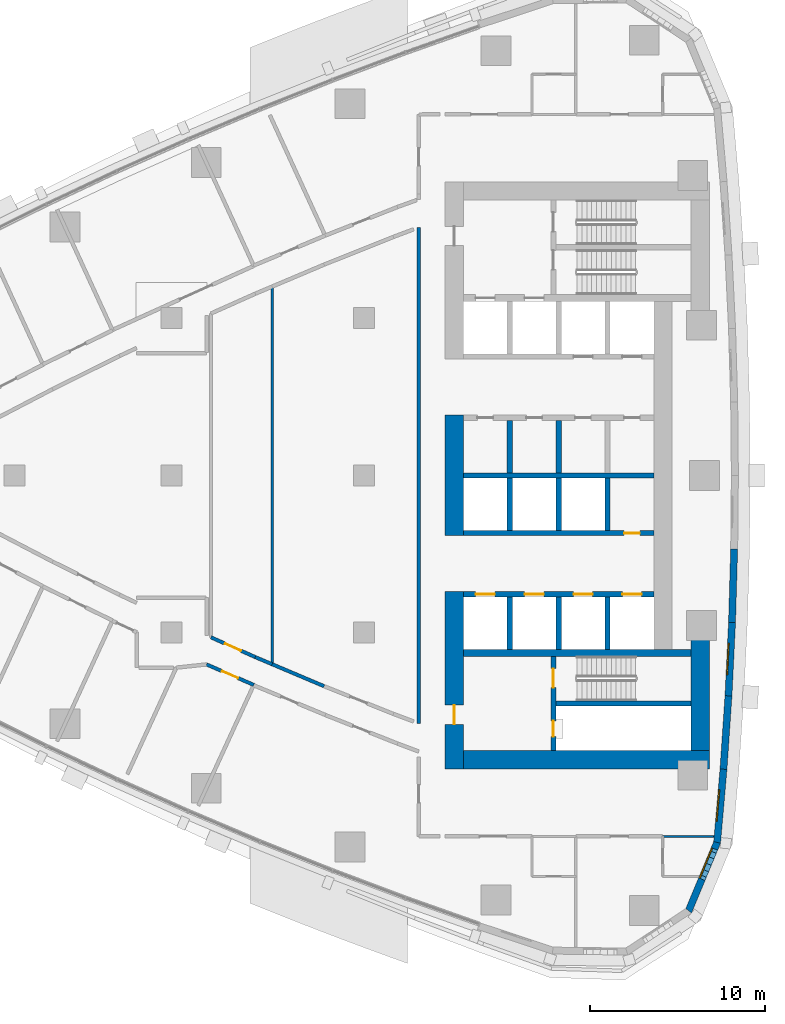
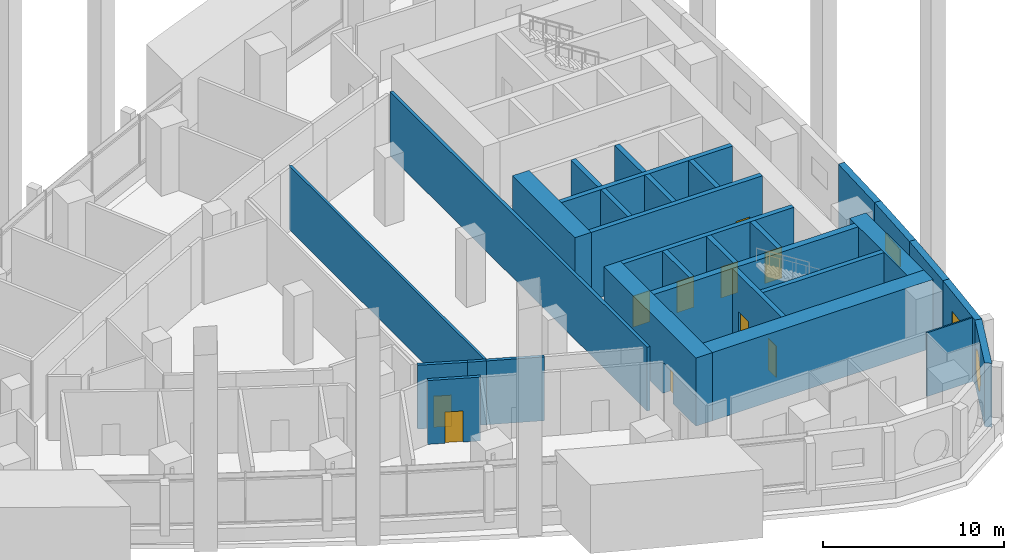
# One storey, part 9 of 17: 30 walls, 10 doors, 3 windows, 13 openings.
"""IFC4 building model written with IfcOpenShell, lengths in metres."""

from ifc_helpers import new_model, si_unit, direction, frame, frame_2d, origin, place, context, subcontext, project, spatial, polyline, rectangle, outline, extrude, material, layer, layer_set, type_object, element, fill, save


model = new_model("IFC4")

# Units and contexts
model_context = context("Model", 3, precision=1e-05, world=origin(), true_north=direction((0.0, 1.0)))
body_context = subcontext(model_context, "Body", "Model", "MODEL_VIEW")
ifc_project = project(units=[si_unit("LENGTHUNIT", "METRE"), si_unit("AREAUNIT", "SQUARE_METRE"), si_unit("VOLUMEUNIT", "CUBIC_METRE"), si_unit("PLANEANGLEUNIT", "RADIAN"), si_unit("MASSUNIT", "GRAM", prefix="KILO")], contexts=[model_context])

# Site, building, storey
site_placement = place(None, origin())
site = spatial("IfcSite", under=ifc_project, at=site_placement, CompositionType="ELEMENT")
building_placement = place(site_placement, origin())
building = spatial("IfcBuilding", under=site, at=building_placement, Name="Ostrand Prow Hotel Tower", CompositionType="ELEMENT")
storey_placement = place(building_placement, frame((0.0, 0.0, 80.300048828125)))
storey = spatial("IfcBuildingStorey", under=building, at=storey_placement, Name="L18", CompositionType="ELEMENT", Elevation=80.300048828125)

# Wall
ifc_material_1 = material(Name="Concrete C80/95", Category="concrete")
ifc_layer_1 = layer(ifc_material_1, 1.050048828125)
ifc_layer_set_1 = layer_set([ifc_layer_1], Name="Concrete C80/95")
wall_type_1 = type_object("IfcWallType", Name="Core wall 1050 C80/95", PredefinedType="SHEAR", material=ifc_layer_set_1)
wall_1_placement = place(storey_placement, frame((50.175048828125, -3.449951171875, 0.0), z_axis=(0.0, 0.0, 1.0), x_axis=(0.0, 1.0, 0.0)))
element("IfcWall", 1, at=wall_1_placement, inside=storey, type_object=wall_type_1, Name="Core wall CW-W-C", PredefinedType="SHEAR", context=body_context, shape_type="SweptSolid", body=[
    extrude(rectangle(XDim=6.89990234375, YDim=1.050048828125, at=frame_2d((3.449951171875, 0.0))), origin(), (0.0, 0.0, 1.0), 4.599853515625),
])

# Wall, opening, door
wall_2_placement = place(storey_placement, frame((50.175048828125, -16.800048828125, 0.0), z_axis=(0.0, 0.0, 1.0), x_axis=(0.0, 1.0, 0.0)))
wall_2 = element("IfcWall", 2, at=wall_2_placement, inside=storey, type_object=wall_type_1, Name="Core wall CW-W-S", PredefinedType="SHEAR", context=body_context, shape_type="SweptSolid", body=[
    extrude(rectangle(XDim=10.150146484375, YDim=1.050048828125, at=frame_2d((5.0751953125, 0.0))), origin(), (0.0, 0.0, 1.0), 4.599853515625),
])
opening_1_placement = place(wall_2_placement, frame((2.550048828125, 0.0, 0.0)))
opening_1 = element("IfcOpeningElement", 3, at=opening_1_placement, cuts=wall_2, Name="Opening FD1", PredefinedType="OPENING", context=body_context, shape_type="SweptSolid", body=[
    extrude(rectangle(XDim=1.10009765625, YDim=2.10009765625, at=frame_2d((0.550048828125, 1.050048828125))), frame((0.0, 0.534912109375, 0.0), z_axis=(0.0, -1.0, 0.0), x_axis=(1.0, 0.0, 0.0)), (0.0, 0.0, 1.0), 1.070068359375),
])
ifc_material_2 = material(Name="Steel fire door", Category="steel")
door_type_1 = type_object("IfcDoorType", Name="Fire door 1100 EI120", OperationType="SINGLE_SWING_RIGHT", PredefinedType="DOOR", material=ifc_material_2)
door_1_placement = place(opening_1_placement, origin())
door_1 = element("IfcDoor", 4, at=door_1_placement, inside=storey, type_object=door_type_1, Name="FIRE DOOR", OperationType="SINGLE_SWING_RIGHT", OverallHeight=2.10009765625, OverallWidth=1.10009765625, PredefinedType="DOOR", context=body_context, shape_type="SweptSolid", body=[
    extrude(rectangle(XDim=1.10009765625, YDim=2.10009765625, at=frame_2d((0.550048828125, 1.050048828125))), frame((0.0, 0.02490234375, 0.0), z_axis=(0.0, -1.0, 0.0), x_axis=(1.0, 0.0, 0.0)), (0.0, 0.0, 1.0), 0.050048828125),
])
fill(opening_1, door_1)

# Walls
wall_3_placement = place(storey_placement, frame((50.699951171875, -16.27490234375, 0.0), z_axis=(0.0, 0.0, 1.0), x_axis=(1.0, 0.0, 0.0)))
element("IfcWall", 5, at=wall_3_placement, inside=storey, type_object=wall_type_1, Name="Core wall CW-S", PredefinedType="SHEAR", context=body_context, shape_type="SweptSolid", body=[
    extrude(rectangle(XDim=14.070068359375, YDim=1.050048828125, at=frame_2d((7.03515625, 0.0))), origin(), (0.0, 0.0, 1.0), 4.599853515625),
])
wall_4_placement = place(storey_placement, frame((64.2451171875, -15.75, 0.0), z_axis=(0.0, 0.0, 1.0), x_axis=(0.0, 1.0, 0.0)))
element("IfcWall", 6, at=wall_4_placement, inside=storey, type_object=wall_type_1, Name="Core wall CW-E-S", PredefinedType="SHEAR", context=body_context, shape_type="SweptSolid", body=[
    extrude(rectangle(XDim=6.361328125, YDim=1.050048828125, at=frame_2d((3.1806640625, 0.0))), origin(), (0.0, 0.0, 1.0), 4.599853515625),
])
ifc_material_3 = material(Name="Concrete C80/95", Category="concrete")
ifc_layer_2 = layer(ifc_material_3, 0.300048828125)
ifc_layer_set_2 = layer_set([ifc_layer_2], Name="Concrete C80/95")
wall_type_2 = type_object("IfcWallType", Name="Core wall 300 C80/95", PredefinedType="SHEAR", material=ifc_layer_set_2)
wall_5_placement = place(storey_placement, frame((50.699951171875, 0.0, 0.0), z_axis=(0.0, 0.0, 1.0), x_axis=(1.0, 0.0, 0.0)))
element("IfcWall", 7, at=wall_5_placement, inside=storey, type_object=wall_type_2, Name="Core wall PW-C", PredefinedType="SHEAR", context=body_context, shape_type="SweptSolid", body=[
    extrude(rectangle(XDim=10.900146484375, YDim=0.300048828125, at=frame_2d((5.4501953125, 0.0))), origin(), (0.0, 0.0, 1.0), 4.599853515625),
])
for number, where, z_axis, x_axis, name in (
    (8, (53.35009765625, 0.14990234375, 0.0), (0.0, 0.0, 1.0), (0.0, 1.0, 0.0), "Core wall PW-R1-NB"),
    (9, (56.14990234375, 0.14990234375, 0.0), (0.0, 0.0, 1.0), (0.0, 1.0, 0.0), "Core wall PW-R2-NB"),
):
    element("IfcWall", number, at=place(storey_placement, frame(where, z_axis=z_axis, x_axis=x_axis)), inside=storey, type_object=wall_type_2, Name=name, PredefinedType="SHEAR", context=body_context, shape_type="SweptSolid", body=[
        extrude(rectangle(XDim=3.0, YDim=0.300048828125, at=frame_2d((1.5, 0.0))), origin(), (0.0, 0.0, 1.0), 4.599853515625),
    ])

# Wall, opening, door
wall_6_placement = place(storey_placement, frame((50.699951171875, -3.300048828125, 0.0), z_axis=(0.0, 0.0, 1.0), x_axis=(1.0, 0.0, 0.0)))
wall_6 = element("IfcWall", 10, at=wall_6_placement, inside=storey, type_object=wall_type_2, Name="Core wall PW-L1-S", PredefinedType="SHEAR", context=body_context, shape_type="SweptSolid", body=[
    extrude(rectangle(XDim=10.900146484375, YDim=0.300048828125, at=frame_2d((5.4501953125, 0.0))), origin(), (0.0, 0.0, 1.0), 4.599853515625),
])
opening_2_placement = place(wall_6_placement, frame((9.199951171875, 0.0, 0.0)))
opening_2 = element("IfcOpeningElement", 11, at=opening_2_placement, cuts=wall_6, Name="Opening FD2", PredefinedType="OPENING", context=body_context, shape_type="SweptSolid", body=[
    extrude(rectangle(XDim=0.89990234375, YDim=2.10009765625, at=frame_2d((0.449951171875, 1.050048828125))), frame((0.0, 0.159912109375, 0.0), z_axis=(0.0, -1.0, 0.0), x_axis=(1.0, 0.0, 0.0)), (0.0, 0.0, 1.0), 0.320068359375),
])
ifc_material_4 = material(Name="Steel fire door", Category="steel")
door_type_2 = type_object("IfcDoorType", Name="Fire door 900 EI120", OperationType="SINGLE_SWING_LEFT", PredefinedType="DOOR", material=ifc_material_4)
door_2_placement = place(opening_2_placement, origin())
door_2 = element("IfcDoor", 12, at=door_2_placement, inside=storey, type_object=door_type_2, Name="DOOR", OperationType="SINGLE_SWING_LEFT", OverallHeight=2.10009765625, OverallWidth=0.89990234375, PredefinedType="DOOR", context=body_context, shape_type="SweptSolid", body=[
    extrude(rectangle(XDim=0.89990234375, YDim=2.10009765625, at=frame_2d((0.449951171875, 1.050048828125))), frame((0.0, 0.02490234375, 0.0), z_axis=(0.0, -1.0, 0.0), x_axis=(1.0, 0.0, 0.0)), (0.0, 0.0, 1.0), 0.050048828125),
])
fill(opening_2, door_2)

# Wall, openings, doors
wall_7_placement = place(storey_placement, frame((50.699951171875, -6.800048828125, 0.0), z_axis=(0.0, 0.0, 1.0), x_axis=(1.0, 0.0, 0.0)))
wall_7 = element("IfcWall", 13, at=wall_7_placement, inside=storey, type_object=wall_type_2, Name="Core wall PW-L2-S", PredefinedType="SHEAR", context=body_context, shape_type="SweptSolid", body=[
    extrude(rectangle(XDim=10.900146484375, YDim=0.300048828125, at=frame_2d((5.4501953125, 0.0))), origin(), (0.0, 0.0, 1.0), 4.599853515625),
])
opening_3_placement = place(wall_7_placement, frame((0.699951171875, 0.0, 0.0)))
opening_3 = element("IfcOpeningElement", 14, at=opening_3_placement, cuts=wall_7, Name="Opening LD", PredefinedType="OPENING", context=body_context, shape_type="SweptSolid", body=[
    extrude(rectangle(XDim=1.10009765625, YDim=2.10009765625, at=frame_2d((0.550048828125, 1.050048828125))), frame((0.0, 0.159912109375, 0.0), z_axis=(0.0, -1.0, 0.0), x_axis=(1.0, 0.0, 0.0)), (0.0, 0.0, 1.0), 0.320068359375),
])
opening_4_placement = place(wall_7_placement, frame((3.5, 0.0, 0.0)))
opening_4 = element("IfcOpeningElement", 15, at=opening_4_placement, cuts=wall_7, Name="Opening LD", PredefinedType="OPENING", context=body_context, shape_type="SweptSolid", body=[
    extrude(rectangle(XDim=1.10009765625, YDim=2.10009765625, at=frame_2d((0.550048828125, 1.050048828125))), frame((0.0, 0.159912109375, 0.0), z_axis=(0.0, -1.0, 0.0), x_axis=(1.0, 0.0, 0.0)), (0.0, 0.0, 1.0), 0.320068359375),
])
opening_5_placement = place(wall_7_placement, frame((6.300048828125, 0.0, 0.0)))
opening_5 = element("IfcOpeningElement", 16, at=opening_5_placement, cuts=wall_7, Name="Opening LD", PredefinedType="OPENING", context=body_context, shape_type="SweptSolid", body=[
    extrude(rectangle(XDim=1.10009765625, YDim=2.10009765625, at=frame_2d((0.550048828125, 1.050048828125))), frame((0.0, 0.159912109375, 0.0), z_axis=(0.0, -1.0, 0.0), x_axis=(1.0, 0.0, 0.0)), (0.0, 0.0, 1.0), 0.320068359375),
])
opening_6_placement = place(wall_7_placement, frame((9.10009765625, 0.0, 0.0)))
opening_6 = element("IfcOpeningElement", 17, at=opening_6_placement, cuts=wall_7, Name="Opening LD", PredefinedType="OPENING", context=body_context, shape_type="SweptSolid", body=[
    extrude(rectangle(XDim=1.10009765625, YDim=2.10009765625, at=frame_2d((0.550048828125, 1.050048828125))), frame((0.0, 0.159912109375, 0.0), z_axis=(0.0, -1.0, 0.0), x_axis=(1.0, 0.0, 0.0)), (0.0, 0.0, 1.0), 0.320068359375),
])
ifc_material_5 = material(Name="Stainless steel door", Category="steel")
door_type_3 = type_object("IfcDoorType", Name="Lift landing door 1100", OperationType="DOUBLE_DOOR_SLIDING", PredefinedType="DOOR", material=ifc_material_5)
door_3_placement = place(opening_3_placement, origin())
door_3 = element("IfcDoor", 18, at=door_3_placement, inside=storey, type_object=door_type_3, Name="LIFT LANDING DOOR", OperationType="DOUBLE_DOOR_SLIDING", OverallHeight=2.10009765625, OverallWidth=1.10009765625, PredefinedType="DOOR", context=body_context, shape_type="SweptSolid", body=[
    extrude(rectangle(XDim=1.10009765625, YDim=2.10009765625, at=frame_2d((0.550048828125, 1.050048828125))), frame((0.0, 0.02490234375, 0.0), z_axis=(0.0, -1.0, 0.0), x_axis=(1.0, 0.0, 0.0)), (0.0, 0.0, 1.0), 0.050048828125),
])
fill(opening_3, door_3)
door_4_placement = place(opening_4_placement, origin())
door_4 = element("IfcDoor", 19, at=door_4_placement, inside=storey, type_object=door_type_3, Name="LIFT LANDING DOOR", OperationType="DOUBLE_DOOR_SLIDING", OverallHeight=2.10009765625, OverallWidth=1.10009765625, PredefinedType="DOOR", context=body_context, shape_type="SweptSolid", body=[
    extrude(rectangle(XDim=1.10009765625, YDim=2.10009765625, at=frame_2d((0.550048828125, 1.050048828125))), frame((0.0, 0.02490234375, 0.0), z_axis=(0.0, -1.0, 0.0), x_axis=(1.0, 0.0, 0.0)), (0.0, 0.0, 1.0), 0.050048828125),
])
fill(opening_4, door_4)
door_5_placement = place(opening_5_placement, origin())
door_5 = element("IfcDoor", 20, at=door_5_placement, inside=storey, type_object=door_type_3, Name="LIFT LANDING DOOR", OperationType="DOUBLE_DOOR_SLIDING", OverallHeight=2.10009765625, OverallWidth=1.10009765625, PredefinedType="DOOR", context=body_context, shape_type="SweptSolid", body=[
    extrude(rectangle(XDim=1.10009765625, YDim=2.10009765625, at=frame_2d((0.550048828125, 1.050048828125))), frame((0.0, 0.02490234375, 0.0), z_axis=(0.0, -1.0, 0.0), x_axis=(1.0, 0.0, 0.0)), (0.0, 0.0, 1.0), 0.050048828125),
])
fill(opening_5, door_5)
door_6_placement = place(opening_6_placement, origin())
door_6 = element("IfcDoor", 21, at=door_6_placement, inside=storey, type_object=door_type_3, Name="LIFT LANDING DOOR", OperationType="DOUBLE_DOOR_SLIDING", OverallHeight=2.10009765625, OverallWidth=1.10009765625, PredefinedType="DOOR", context=body_context, shape_type="SweptSolid", body=[
    extrude(rectangle(XDim=1.10009765625, YDim=2.10009765625, at=frame_2d((0.550048828125, 1.050048828125))), frame((0.0, 0.02490234375, 0.0), z_axis=(0.0, -1.0, 0.0), x_axis=(1.0, 0.0, 0.0)), (0.0, 0.0, 1.0), 0.050048828125),
])
fill(opening_6, door_6)

# Walls
for number, where, z_axis, x_axis, name in (
    (22, (53.35009765625, -3.14990234375, 0.0), (0.0, 0.0, 1.0), (0.0, 1.0, 0.0), "Core wall PW-R1-SB"),
    (23, (53.35009765625, -9.949951171875, 0.0), (0.0, 0.0, 1.0), (0.0, 1.0, 0.0), "Core wall PW-R1-SA"),
    (24, (56.14990234375, -3.14990234375, 0.0), (0.0, 0.0, 1.0), (0.0, 1.0, 0.0), "Core wall PW-R2-SB"),
    (25, (56.14990234375, -9.949951171875, 0.0), (0.0, 0.0, 1.0), (0.0, 1.0, 0.0), "Core wall PW-R2-SA"),
    (26, (58.949951171875, -3.14990234375, 0.0), (0.0, 0.0, 1.0), (0.0, 1.0, 0.0), "Core wall PW-R3-SB"),
    (27, (58.949951171875, -9.949951171875, 0.0), (0.0, 0.0, 1.0), (0.0, 1.0, 0.0), "Core wall PW-R3-SA"),
):
    element("IfcWall", number, at=place(storey_placement, frame(where, z_axis=z_axis, x_axis=x_axis)), inside=storey, type_object=wall_type_2, Name=name, PredefinedType="SHEAR", context=body_context, shape_type="SweptSolid", body=[
        extrude(rectangle(XDim=3.0, YDim=0.300048828125, at=frame_2d((1.5, 0.0))), origin(), (0.0, 0.0, 1.0), 4.599853515625),
    ])

# Wall, openings, doors
wall_8_placement = place(storey_placement, frame((55.85009765625, -15.75, 0.0), z_axis=(0.0, 0.0, 1.0), x_axis=(0.0, 1.0, 0.0)))
wall_8 = element("IfcWall", 28, at=wall_8_placement, inside=storey, type_object=wall_type_2, Name="Core wall PW-VS", PredefinedType="SHEAR", context=body_context, shape_type="SweptSolid", body=[
    extrude(rectangle(XDim=5.39990234375, YDim=0.300048828125, at=frame_2d((2.699951171875, 0.0))), origin(), (0.0, 0.0, 1.0), 4.599853515625),
])
opening_7_placement = place(wall_8_placement, frame((3.60009765625, 0.0, 0.0)))
opening_7 = element("IfcOpeningElement", 29, at=opening_7_placement, cuts=wall_8, Name="Opening FD1", PredefinedType="OPENING", context=body_context, shape_type="SweptSolid", body=[
    extrude(rectangle(XDim=1.10009765625, YDim=2.10009765625, at=frame_2d((0.550048828125, 1.050048828125))), frame((0.0, 0.159912109375, 0.0), z_axis=(0.0, -1.0, 0.0), x_axis=(1.0, 0.0, 0.0)), (0.0, 0.0, 1.0), 0.320068359375),
])
opening_8_placement = place(wall_8_placement, frame((0.800048828125, 0.0, 0.0)))
opening_8 = element("IfcOpeningElement", 30, at=opening_8_placement, cuts=wall_8, Name="Opening FD2", PredefinedType="OPENING", context=body_context, shape_type="SweptSolid", body=[
    extrude(rectangle(XDim=0.89990234375, YDim=2.10009765625, at=frame_2d((0.449951171875, 1.050048828125))), frame((0.0, 0.159912109375, 0.0), z_axis=(0.0, -1.0, 0.0), x_axis=(1.0, 0.0, 0.0)), (0.0, 0.0, 1.0), 0.320068359375),
])
door_7_placement = place(opening_7_placement, origin())
door_7 = element("IfcDoor", 31, at=door_7_placement, inside=storey, type_object=door_type_1, Name="FIRE DOOR", OperationType="SINGLE_SWING_RIGHT", OverallHeight=2.10009765625, OverallWidth=1.10009765625, PredefinedType="DOOR", context=body_context, shape_type="SweptSolid", body=[
    extrude(rectangle(XDim=1.10009765625, YDim=2.10009765625, at=frame_2d((0.550048828125, 1.050048828125))), frame((0.0, 0.02490234375, 0.0), z_axis=(0.0, -1.0, 0.0), x_axis=(1.0, 0.0, 0.0)), (0.0, 0.0, 1.0), 0.050048828125),
])
fill(opening_7, door_7)
door_8_placement = place(opening_8_placement, origin())
door_8 = element("IfcDoor", 32, at=door_8_placement, inside=storey, type_object=door_type_2, Name="FIRE DOOR", OperationType="SINGLE_SWING_LEFT", OverallHeight=2.10009765625, OverallWidth=0.89990234375, PredefinedType="DOOR", context=body_context, shape_type="SweptSolid", body=[
    extrude(rectangle(XDim=0.89990234375, YDim=2.10009765625, at=frame_2d((0.449951171875, 1.050048828125))), frame((0.0, 0.02490234375, 0.0), z_axis=(0.0, -1.0, 0.0), x_axis=(1.0, 0.0, 0.0)), (0.0, 0.0, 1.0), 0.050048828125),
])
fill(opening_8, door_8)

# Walls
wall_9_placement = place(storey_placement, frame((56.0, -13.050048828125, 0.0), z_axis=(0.0, 0.0, 1.0), x_axis=(1.0, 0.0, 0.0)))
element("IfcWall", 33, at=wall_9_placement, inside=storey, type_object=wall_type_2, Name="Core wall PW-ST2R", PredefinedType="SHEAR", context=body_context, shape_type="SweptSolid", body=[
    extrude(rectangle(XDim=7.719970703125, YDim=0.300048828125, at=frame_2d((3.85986328125, 0.0))), origin(), (0.0, 0.0, 1.0), 4.599853515625),
])
ifc_material_6 = material(Name="Concrete C80/95", Category="concrete")
ifc_layer_3 = layer(ifc_material_6, 0.39990234375)
ifc_layer_set_3 = layer_set([ifc_layer_3], Name="Concrete C80/95")
wall_type_3 = type_object("IfcWallType", Name="Core wall 400 C80/95", PredefinedType="SHEAR", material=ifc_layer_set_3)
wall_10_placement = place(storey_placement, frame((50.699951171875, -10.14990234375, 0.0), z_axis=(0.0, 0.0, 1.0), x_axis=(1.0, 0.0, 0.0)))
element("IfcWall", 34, at=wall_10_placement, inside=storey, type_object=wall_type_3, Name="Core wall PW-BS", PredefinedType="SHEAR", context=body_context, shape_type="SweptSolid", body=[
    extrude(rectangle(XDim=13.02001953125, YDim=0.39990234375, at=frame_2d((6.510009765625, 0.0))), origin(), (0.0, 0.0, 1.0), 4.599853515625),
])
ifc_material_7 = material(Name="Plasterboard partition")
ifc_layer_4 = layer(ifc_material_7, 0.10009765625)
ifc_layer_set_4 = layer_set([ifc_layer_4], Name="Plasterboard partition")
wall_type_4 = type_object("IfcWallType", Name="Partition 100 bathroom wall", PredefinedType="PARTITIONING", material=ifc_layer_set_4)
wall_11_placement = place(storey_placement, frame((62.111083984375, -20.655029296875, 0.0), z_axis=(0.0, 0.0, 1.0), x_axis=(1.0, 0.0, 0.0)))
element("IfcWall", 35, at=wall_11_placement, inside=storey, type_object=wall_type_4, Name="BATHROOM WALL", PredefinedType="PARTITIONING", context=body_context, shape_type="SweptSolid", body=[
    extrude(rectangle(XDim=2.90576171875, YDim=0.10009765625, at=frame_2d((1.452880859375, 0.0))), origin(), (0.0, 0.0, 1.0), 4.300048828125),
])
ifc_material_8 = material(Name="Plasterboard partition")
ifc_layer_5 = layer(ifc_material_8, 0.14990234375)
ifc_layer_set_5 = layer_set([ifc_layer_5], Name="Plasterboard partition")
wall_type_5 = type_object("IfcWallType", Name="Partition 150 room partition", PredefinedType="PARTITIONING", material=ifc_layer_set_5)
wall_12_placement = place(storey_placement, frame((39.754150390625, -10.803955078125, 0.0), z_axis=(0.0, 0.0, 1.0), x_axis=(0.0, 1.0, 0.0)))
element("IfcWall", 36, at=wall_12_placement, inside=storey, type_object=wall_type_5, Name="ROOM PARTITION", PredefinedType="PARTITIONING", context=body_context, shape_type="SweptSolid", body=[
    extrude(rectangle(XDim=21.60791015625, YDim=0.14990234375, at=frame_2d((10.803955078125, 0.0))), origin(), (0.0, 0.0, 1.0), 4.300048828125),
])

# Wall, opening, door
ifc_material_9 = material(Name="Plasterboard partition")
ifc_layer_6 = layer(ifc_material_9, 0.199951171875)
ifc_layer_set_6 = layer_set([ifc_layer_6], Name="Plasterboard partition")
wall_type_6 = type_object("IfcWallType", Name="Partition 200 corridor wall", PredefinedType="PARTITIONING", material=ifc_layer_set_6)
wall_13_placement = place(storey_placement, frame((36.0, -10.814697265625, 0.0), z_axis=(0.0, 0.0, 1.0), x_axis=(0.917314766234, -0.398162805457, 0.0)))
wall_13 = element("IfcWall", 37, at=wall_13_placement, inside=storey, type_object=wall_type_6, Name="CORRIDOR WALL", PredefinedType="PARTITIONING", context=body_context, shape_type="SweptSolid", body=[
    extrude(rectangle(XDim=2.947998046875, YDim=0.199951171875, at=frame_2d((1.47412109375, 0.0))), origin(), (0.0, 0.0, 1.0), 4.300048828125),
])
opening_9_placement = place(wall_13_placement, frame((0.97412109375, 0.0, 0.0)))
opening_9 = element("IfcOpeningElement", 38, at=opening_9_placement, cuts=wall_13, Name="Opening D1R", PredefinedType="OPENING", context=body_context, shape_type="SweptSolid", body=[
    extrude(rectangle(XDim=1.0, YDim=2.10009765625, at=frame_2d((0.5, 1.050048828125))), frame((0.0, 0.10986328125, 0.0), z_axis=(0.0, -1.0, 0.0), x_axis=(1.0, 0.0, 0.0)), (0.0, 0.0, 1.0), 0.219970703125),
])
ifc_material_10 = material(Name="Timber door leaf", Category="wood")
door_type_4 = type_object("IfcDoorType", Name="Guest room door 1000 right", OperationType="SINGLE_SWING_RIGHT", PredefinedType="DOOR", material=ifc_material_10)
door_9_placement = place(opening_9_placement, origin())
door_9 = element("IfcDoor", 39, at=door_9_placement, inside=storey, type_object=door_type_4, Name="DOOR", OperationType="SINGLE_SWING_RIGHT", OverallHeight=2.10009765625, OverallWidth=1.0, PredefinedType="DOOR", context=body_context, shape_type="SweptSolid", body=[
    extrude(rectangle(XDim=1.0, YDim=2.10009765625, at=frame_2d((0.5, 1.050048828125))), frame((0.0, 0.02490234375, 0.0), z_axis=(0.0, -1.0, 0.0), x_axis=(1.0, 0.0, 0.0)), (0.0, 0.0, 1.0), 0.050048828125),
])
fill(opening_9, door_9)

wall_14_placement = place(storey_placement, frame((38.7919921875, -10.397216796875, 0.0), z_axis=(0.0, 0.0, 1.0), x_axis=(-0.913023336604, 0.407907326259, 0.0)))
wall_14 = element("IfcWall", 40, at=wall_14_placement, inside=storey, type_object=wall_type_6, Name="CORRIDOR WALL", PredefinedType="PARTITIONING", context=body_context, shape_type="SweptSolid", body=[
    extrude(rectangle(XDim=2.77783203125, YDim=0.199951171875, at=frame_2d((1.388916015625, 0.0))), origin(), (0.0, 0.0, 1.0), 4.300048828125),
])
opening_10_placement = place(wall_14_placement, frame((0.888916015625, 0.0, 0.0)))
opening_10 = element("IfcOpeningElement", 41, at=opening_10_placement, cuts=wall_14, Name="Opening D1R", PredefinedType="OPENING", context=body_context, shape_type="SweptSolid", body=[
    extrude(rectangle(XDim=1.0, YDim=2.10009765625, at=frame_2d((0.5, 1.050048828125))), frame((0.0, 0.10986328125, 0.0), z_axis=(0.0, -1.0, 0.0), x_axis=(1.0, 0.0, 0.0)), (0.0, 0.0, 1.0), 0.219970703125),
])
door_10_placement = place(opening_10_placement, origin())
door_10 = element("IfcDoor", 42, at=door_10_placement, inside=storey, type_object=door_type_4, Name="DOOR", OperationType="SINGLE_SWING_RIGHT", OverallHeight=2.10009765625, OverallWidth=1.0, PredefinedType="DOOR", context=body_context, shape_type="SweptSolid", body=[
    extrude(rectangle(XDim=1.0, YDim=2.10009765625, at=frame_2d((0.5, 1.050048828125))), frame((0.0, 0.02490234375, 0.0), z_axis=(0.0, -1.0, 0.0), x_axis=(1.0, 0.0, 0.0)), (0.0, 0.0, 1.0), 0.050048828125),
])
fill(opening_10, door_10)

# Walls
wall_15_placement = place(storey_placement, frame((39.754150390625, -10.803955078125, 0.0), z_axis=(0.0, 0.0, 1.0), x_axis=(-0.921080112261, 0.389373120281, 0.0)))
element("IfcWall", 43, at=wall_15_placement, inside=storey, type_object=wall_type_6, Name="CORRIDOR WALL", PredefinedType="PARTITIONING", context=body_context, shape_type="SweptSolid", body=[
    extrude(rectangle(XDim=1.044677734375, YDim=0.199951171875, at=frame_2d((0.5224609375, 0.0))), origin(), (0.0, 0.0, 1.0), 4.300048828125),
])
wall_16_placement = place(storey_placement, frame((42.727783203125, -12.0615234375, 0.0), z_axis=(0.0, 0.0, 1.0), x_axis=(-0.921023598919, 0.389506778163, 0.0)))
element("IfcWall", 44, at=wall_16_placement, inside=storey, type_object=wall_type_6, Name="CORRIDOR WALL", PredefinedType="PARTITIONING", context=body_context, shape_type="SweptSolid", body=[
    extrude(rectangle(XDim=3.228515625, YDim=0.199951171875, at=frame_2d((1.6142578125, 0.0))), origin(), (0.0, 0.0, 1.0), 4.300048828125),
])
wall_17_placement = place(storey_placement, frame((48.14990234375, 14.188720703125, 0.0), z_axis=(0.0, 0.0, 1.0), x_axis=(0.0, -1.0, 0.0)))
element("IfcWall", 45, at=wall_17_placement, inside=storey, type_object=wall_type_6, Name="CORRIDOR WALL", PredefinedType="PARTITIONING", context=body_context, shape_type="SweptSolid", body=[
    extrude(rectangle(XDim=28.37744140625, YDim=0.199951171875, at=frame_2d((14.188720703125, 0.0))), origin(), (0.0, 0.0, 1.0), 4.300048828125),
])

# Wall, opening, window
ifc_material_11 = material(Name="Precast concrete C40/50", Category="concrete")
ifc_layer_7 = layer(ifc_material_11, 0.39990234375)
ifc_layer_set_7 = layer_set([ifc_layer_7], Name="Precast concrete C40/50")
wall_type_7 = type_object("IfcWallType", Name="Stone-faced precast wall 400 mm", PredefinedType="NOTDEFINED", material=ifc_layer_set_7)
wall_18_placement = place(storey_placement, frame((63.589599609375, -24.91552734375, 0.0), z_axis=(0.0, 0.0, 1.0), x_axis=(0.383997751971, 0.923334027577, 0.0)))
wall_18 = element("IfcWall", 46, at=wall_18_placement, inside=storey, type_object=wall_type_7, Name="Stone-faced wall back 4", PredefinedType="NOTDEFINED", context=body_context, shape_type="SweptSolid", body=[
    extrude(outline(polyline([(-0.061279296875, -0.199951171875), (4.269775390625, -0.199951171875), (4.207763671875, 0.199951171875), (0.061279296875, 0.199951171875), (-0.061279296875, -0.199951171875)])), origin(), (0.0, 0.0, 1.0), 4.300048828125),
])
opening_11_placement = place(wall_18_placement, frame((1.852294921875, 0.0, 0.60009765625)))
opening_11 = element("IfcOpeningElement", 47, at=opening_11_placement, cuts=wall_18, Name="Opening WP2-21", PredefinedType="OPENING", context=body_context, shape_type="SweptSolid", body=[
    extrude(outline(polyline([(0.0, 1.39990234375), (0.079833984375, 1.8017578125), (0.3076171875, 2.142333984375), (0.648193359375, 2.3701171875), (1.050048828125, 2.449951171875), (1.451904296875, 2.3701171875), (1.79248046875, 2.142333984375), (2.020263671875, 1.8017578125), (2.10009765625, 1.39990234375), (2.10009765625, 1.050048828125), (2.020263671875, 0.648193359375), (1.79248046875, 0.3076171875), (1.451904296875, 0.079833984375), (1.050048828125, 0.0), (0.648193359375, 0.079833984375), (0.3076171875, 0.3076171875), (0.079833984375, 0.648193359375), (0.0, 1.050048828125), (0.0, 1.39990234375)])), frame((0.0, 0.2099609375, 0.0), z_axis=(0.0, -1.0, 0.0), x_axis=(1.0, 0.0, 0.0)), (0.0, 0.0, 1.0), 0.419921875),
])
ifc_material_12 = material(Name="Insulated glass in bronze frame", Category="glass")
window_type_1 = type_object("IfcWindowType", Name="Round-ended prow lounge window 2100x2450", PartitioningType="SINGLE_PANEL", PredefinedType="WINDOW", material=ifc_material_12)
window_1_placement = place(opening_11_placement, origin())
window_1 = element("IfcWindow", 48, at=window_1_placement, inside=storey, type_object=window_type_1, Name="Window back 4.1", OverallHeight=2.449951171875, OverallWidth=2.10009765625, PartitioningType="SINGLE_PANEL", PredefinedType="WINDOW", context=body_context, shape_type="SweptSolid", body=[
    extrude(outline(polyline([(0.0, 1.39990234375), (0.079833984375, 1.8017578125), (0.3076171875, 2.142333984375), (0.648193359375, 2.3701171875), (1.050048828125, 2.449951171875), (1.451904296875, 2.3701171875), (1.79248046875, 2.142333984375), (2.020263671875, 1.8017578125), (2.10009765625, 1.39990234375), (2.10009765625, 1.050048828125), (2.020263671875, 0.648193359375), (1.79248046875, 0.3076171875), (1.451904296875, 0.079833984375), (1.050048828125, 0.0), (0.648193359375, 0.079833984375), (0.3076171875, 0.3076171875), (0.079833984375, 0.648193359375), (0.0, 1.050048828125), (0.0, 1.39990234375)])), frame((0.0, 0.169921875, 0.0), z_axis=(0.0, -1.0, 0.0), x_axis=(1.0, 0.0, 0.0)), (0.0, 0.0, 1.0), 0.06005859375),
])
fill(opening_11, window_1)

wall_19_placement = place(storey_placement, frame((65.21728515625, -21.001708984375, 0.0), z_axis=(0.0, 0.0, 1.0), x_axis=(0.086992730434, 0.996208946382, 0.0)))
wall_19 = element("IfcWall", 49, at=wall_19_placement, inside=storey, type_object=wall_type_7, Name="Stone-faced wall back 5", PredefinedType="NOTDEFINED", context=body_context, shape_type="SweptSolid", body=[
    extrude(outline(polyline([(-0.031005859375, -0.199951171875), (4.208740234375, -0.199951171875), (4.204833984375, 0.199951171875), (0.031005859375, 0.199951171875), (-0.031005859375, -0.199951171875)])), origin(), (0.0, 0.0, 1.0), 4.300048828125),
])
opening_12_placement = place(wall_19_placement, frame((1.203369140625, 0.0, 1.800048828125)))
opening_12 = element("IfcOpeningElement", 50, at=opening_12_placement, cuts=wall_19, Name="Opening WC1", PredefinedType="OPENING", context=body_context, shape_type="SweptSolid", body=[
    extrude(rectangle(XDim=1.800048828125, YDim=1.199951171875, at=frame_2d((0.89990234375, 0.60009765625))), frame((0.0, 0.2099609375, 0.0), z_axis=(0.0, -1.0, 0.0), x_axis=(1.0, 0.0, 0.0)), (0.0, 0.0, 1.0), 0.419921875),
])
ifc_material_13 = material(Name="Insulated glass in bronze frame", Category="glass")
window_type_2 = type_object("IfcWindowType", Name="Sky lobby clerestory window 1800x1200", PartitioningType="SINGLE_PANEL", PredefinedType="WINDOW", material=ifc_material_13)
window_2_placement = place(opening_12_placement, origin())
window_2 = element("IfcWindow", 51, at=window_2_placement, inside=storey, type_object=window_type_2, Name="Window back 5.1", OverallHeight=1.199951171875, OverallWidth=1.800048828125, PartitioningType="SINGLE_PANEL", PredefinedType="WINDOW", context=body_context, shape_type="SweptSolid", body=[
    extrude(rectangle(XDim=1.800048828125, YDim=1.199951171875, at=frame_2d((0.89990234375, 0.60009765625))), frame((0.0, 0.169921875, 0.0), z_axis=(0.0, -1.0, 0.0), x_axis=(1.0, 0.0, 0.0)), (0.0, 0.0, 1.0), 0.06005859375),
])
fill(opening_12, window_2)

# Wall
wall_20_placement = place(storey_placement, frame((65.583251953125, -16.810791015625, 0.0), z_axis=(0.0, 0.0, 1.0), x_axis=(0.067724559895, 0.997704056315, 0.0)))
element("IfcWall", 52, at=wall_20_placement, inside=storey, type_object=wall_type_7, Name="Stone-faced wall back 6", PredefinedType="NOTDEFINED", context=body_context, shape_type="SweptSolid", body=[
    extrude(outline(polyline([(-0.001953125, -0.199951171875), (4.208984375, -0.199951171875), (4.205078125, 0.199951171875), (0.001953125, 0.199951171875), (-0.001953125, -0.199951171875)])), origin(), (0.0, 0.0, 1.0), 4.300048828125),
])

# Wall, opening, window
wall_21_placement = place(storey_placement, frame((65.8681640625, -12.613525390625, 0.0), z_axis=(0.0, 0.0, 1.0), x_axis=(0.048342691508, 0.998830808585, 0.0)))
wall_21 = element("IfcWall", 53, at=wall_21_placement, inside=storey, type_object=wall_type_7, Name="Stone-faced wall back 7", PredefinedType="NOTDEFINED", context=body_context, shape_type="SweptSolid", body=[
    extrude(outline(polyline([(-0.001953125, -0.199951171875), (4.208740234375, -0.199951171875), (4.204833984375, 0.199951171875), (0.001953125, 0.199951171875), (-0.001953125, -0.199951171875)])), origin(), (0.0, 0.0, 1.0), 4.300048828125),
])
opening_13_placement = place(wall_21_placement, frame((1.203369140625, 0.0, 1.800048828125)))
opening_13 = element("IfcOpeningElement", 54, at=opening_13_placement, cuts=wall_21, Name="Opening WC1", PredefinedType="OPENING", context=body_context, shape_type="SweptSolid", body=[
    extrude(rectangle(XDim=1.800048828125, YDim=1.199951171875, at=frame_2d((0.89990234375, 0.60009765625))), frame((0.0, 0.2099609375, 0.0), z_axis=(0.0, -1.0, 0.0), x_axis=(1.0, 0.0, 0.0)), (0.0, 0.0, 1.0), 0.419921875),
])
window_3_placement = place(opening_13_placement, origin())
window_3 = element("IfcWindow", 55, at=window_3_placement, inside=storey, type_object=window_type_2, Name="Window back 7.1", OverallHeight=1.199951171875, OverallWidth=1.800048828125, PartitioningType="SINGLE_PANEL", PredefinedType="WINDOW", context=body_context, shape_type="SweptSolid", body=[
    extrude(rectangle(XDim=1.800048828125, YDim=1.199951171875, at=frame_2d((0.89990234375, 0.60009765625))), frame((0.0, 0.169921875, 0.0), z_axis=(0.0, -1.0, 0.0), x_axis=(1.0, 0.0, 0.0)), (0.0, 0.0, 1.0), 0.06005859375),
])
fill(opening_13, window_3)

# Wall
wall_22_placement = place(storey_placement, frame((66.071533203125, -8.41162109375, 0.0), z_axis=(0.0, 0.0, 1.0), x_axis=(0.02901703777, 0.999578917104, 0.0)))
element("IfcWall", 56, at=wall_22_placement, inside=storey, type_object=wall_type_7, Name="Stone-faced wall back 8", PredefinedType="NOTDEFINED", context=body_context, shape_type="SweptSolid", body=[
    extrude(outline(polyline([(-0.001953125, -0.199951171875), (4.208740234375, -0.199951171875), (4.204833984375, 0.199951171875), (0.001953125, 0.199951171875), (-0.001953125, -0.199951171875)])), origin(), (0.0, 0.0, 1.0), 4.300048828125),
])

save(model, "model.ifc")
